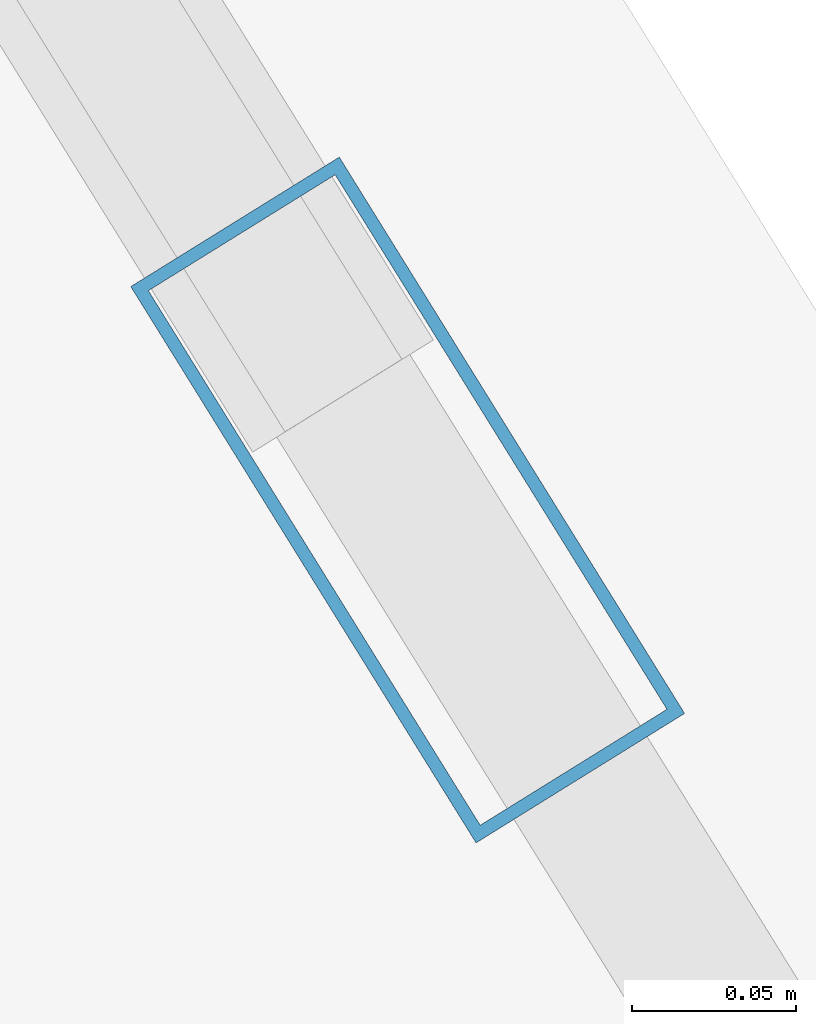
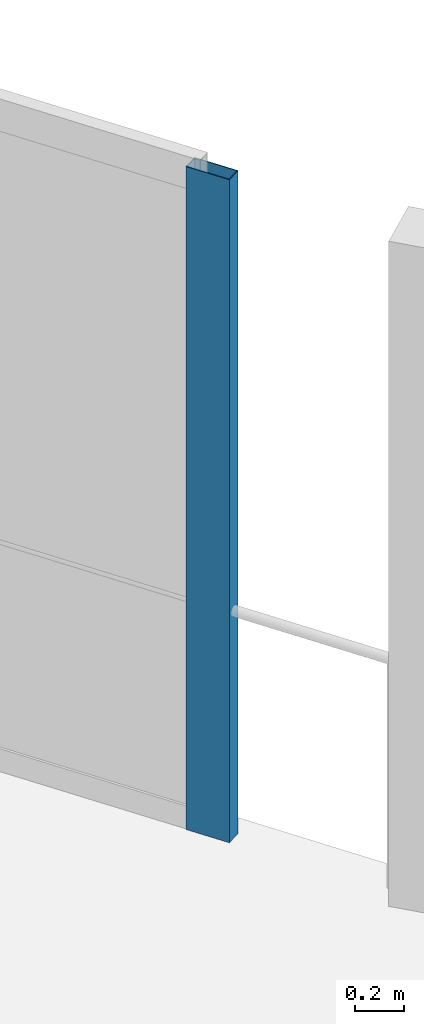
# One storey, part 11 of 19: 1 member, 1 element without a shape of its own.
"""IFC4 building model written with IfcOpenShell, lengths in metres."""

from ifc_helpers import new_model, si_unit, direction, frame, origin, origin_2d, place, context, subcontext, project, spatial, hollow_rectangle, extrude, material, layer, layer_set, material_profile, profile_set, type_object, element, aggregate, save


model = new_model("IFC4")

# Units and contexts
model_context = context("Model", 3, precision=1e-05, world=origin(), true_north=direction((0.0, 1.0)))
body_context = subcontext(model_context, "Body", "Model", "MODEL_VIEW")
ifc_project = project(units=[si_unit("LENGTHUNIT", "METRE"), si_unit("AREAUNIT", "SQUARE_METRE"), si_unit("VOLUMEUNIT", "CUBIC_METRE"), si_unit("PLANEANGLEUNIT", "RADIAN"), si_unit("MASSUNIT", "GRAM", prefix="KILO")], contexts=[model_context])

# Site, building, storey
site_placement = place(None, origin())
site = spatial("IfcSite", under=ifc_project, at=site_placement, CompositionType="ELEMENT")
building_placement = place(site_placement, origin())
building = spatial("IfcBuilding", under=site, at=building_placement, Name="Solvane Sanctuary Tower", CompositionType="ELEMENT")
storey_placement = place(building_placement, frame((0.0, 0.0, 242.39990234375)))
storey = spatial("IfcBuildingStorey", under=building, at=storey_placement, Name="L74", CompositionType="ELEMENT", Elevation=242.39990234375)

# Curtain wall, member
ifc_material = material(Name="Anodised Aluminium 6063-T6", Category="aluminium")
ifc_layer = layer(ifc_material, 0.18994140625, Name="Anodised Aluminium 6063-T6")
ifc_layer_set = layer_set([ifc_layer], Name="Anodised Aluminium 6063-T6")
curtain_wall_type = type_object("IfcCurtainWallType", Name="Curtain Wall CW-OPER", PredefinedType="NOTDEFINED", material=ifc_layer_set)
curtain_wall_placement = place(storey_placement, origin())
curtain_wall = element("IfcCurtainWall", 1, at=curtain_wall_placement, inside=storey, type_object=curtain_wall_type, Name="L74 CW-OPER Facade Run 04", PredefinedType="NOTDEFINED")
ifc_material_profile = material_profile(ifc_material, hollow_rectangle(XDim=0.074951171875, YDim=0.199951171875, WallThickness=0.00390625, at=origin_2d()), Name="ALU200X75X4")
ifc_profile_set = profile_set([ifc_material_profile], Name="Anodised Aluminium 6063-T6")
member_type = type_object("IfcMemberType", Name="Member M-CW-MUL-1 ALU200X75X4", PredefinedType="MULLION", material=ifc_profile_set)
member_placement = place(storey_placement, frame((43.417724609375, 39.398681640625, 0.0), z_axis=(0.0, 0.0, 1.0), x_axis=(-0.849622273102, -0.527391688453, 0.0)))
member = element("IfcMember", 2, at=member_placement, type_object=member_type, Name="CW-OPER mullion 1", PredefinedType="MULLION", context=body_context, shape_type="SweptSolid", body=[
    extrude(hollow_rectangle(XDim=0.074951171875, YDim=0.199951171875, WallThickness=0.00390625, at=origin_2d()), origin(), (0.0, 0.0, 1.0), 3.280029296875),
])
aggregate(curtain_wall, [member])

save(model, "model.ifc")
